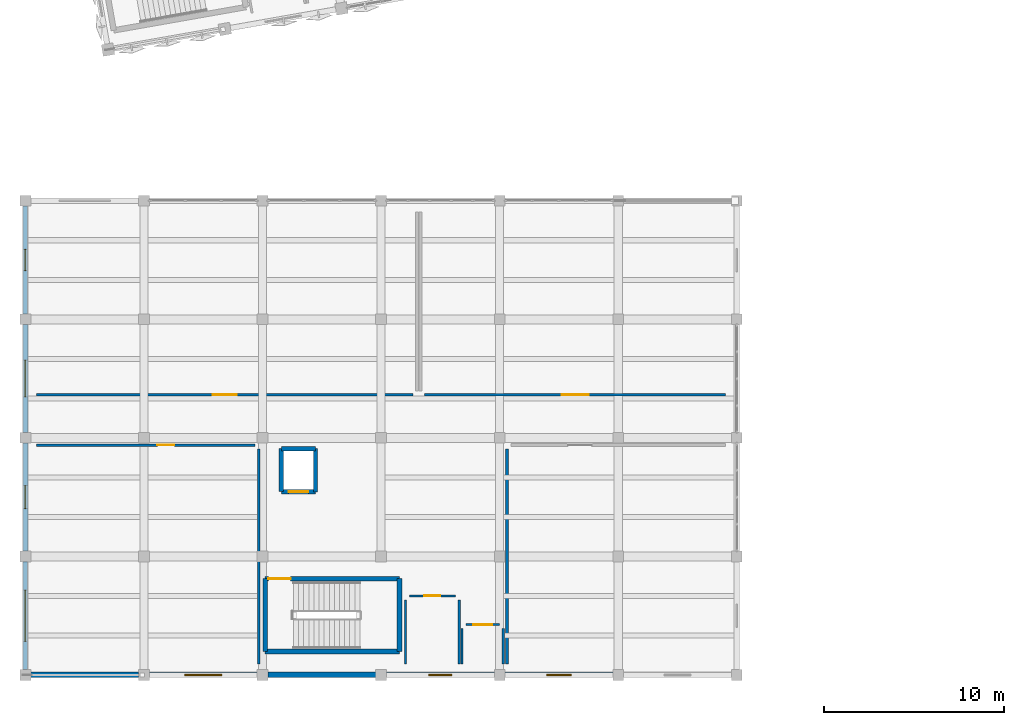
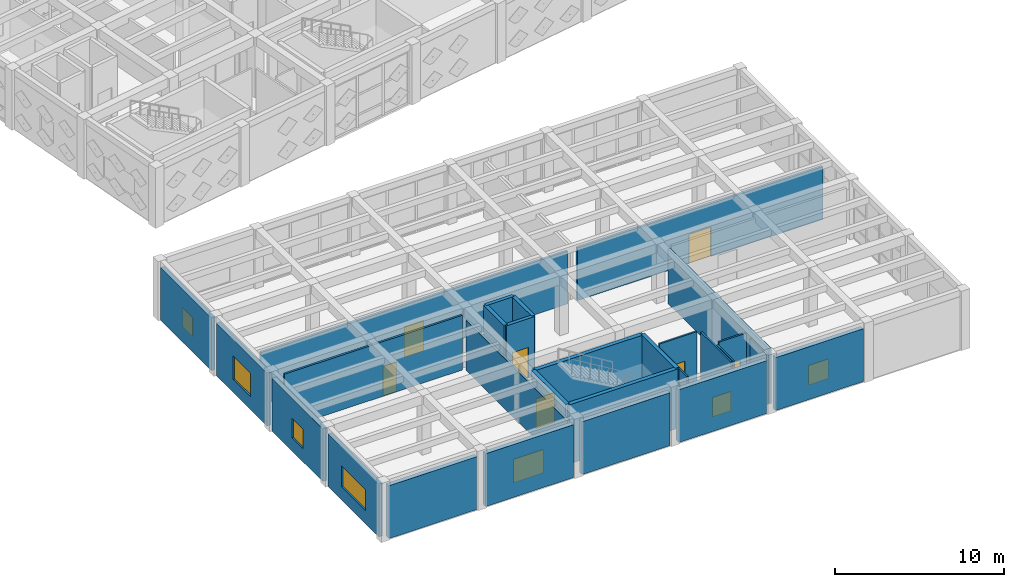
# One storey, part 54 of 67: 28 walls, 7 doors, 7 windows, 14 openings.
"""IFC4 building model written with IfcOpenShell, lengths in metres."""

import ifcopenshell
import ifcopenshell.guid

model = None  # the IFC model being written
_history = None  # IfcOwnerHistory: only IFC2X3 demands one
_inside = {}  # id of a spatial element -> (the spatial element, [elements in it])
_under = {}  # id of a project, library or spatial element -> (it, [spatial elements below it])
_declared = {}  # id of a project -> (the project, [libraries it declares])
_typed = {}  # id of a type object -> (the type object, [elements of that type])
_made_of = {}  # id of a material, layer set ... -> (it, [elements and type objects made of it])


def new_model(schema):
    """Start an empty IFC model of exactly this schema.

    Asked for "IFC4X3", IfcOpenShell would pick the latest addendum, in which some entities
    have other attributes; the version numbers below select the first issue.
    IFC2X3 requires an IfcOwnerHistory on every rooted entity: one is made here for all.
    """
    global model, _history
    if schema == "IFC4X3":
        model = ifcopenshell.file(schema_version=(4, 3, 0, 0))
    else:
        model = ifcopenshell.file(schema=schema)
    _inside.clear()
    _under.clear()
    _declared.clear()
    _typed.clear()
    _made_of.clear()
    _history = None
    if model.schema == "IFC2X3":
        org = make("IfcOrganization", Name="unknown")
        user = make(
            "IfcPersonAndOrganization",
            ThePerson=make("IfcPerson", FamilyName="unknown"),
            TheOrganization=org,
        )
        app = make(
            "IfcApplication",
            ApplicationDeveloper=org,
            Version="unknown",
            ApplicationFullName="unknown",
            ApplicationIdentifier="unknown",
        )
        _history = make(
            "IfcOwnerHistory",
            OwningUser=user,
            OwningApplication=app,
            ChangeAction="ADDED",
            CreationDate=0,
        )
    return model


def make(cls, **values):
    """One entity of the class cls with the attributes given. An attribute that is None is left unset."""
    return model.create_entity(
        cls, **{name: value for name, value in values.items() if value is not None}
    )


def rooted(cls, **values):
    """An entity with a GlobalId (a new one), such as an element, a storey or a relation."""
    return make(cls, GlobalId=ifcopenshell.guid.new(), OwnerHistory=_history, **values)


def si_unit(unit_type, name, prefix=None):
    """IfcSIUnit, for example si_unit("LENGTHUNIT", "METRE", prefix="MILLI")."""
    return make("IfcSIUnit", UnitType=unit_type, Prefix=prefix, Name=name)


def assignment(units):
    """IfcUnitAssignment: the units of a project."""
    return None if units is None else make("IfcUnitAssignment", Units=units)


def point(xyz):
    """IfcCartesianPoint."""
    return None if xyz is None else make("IfcCartesianPoint", Coordinates=xyz)


def direction(xyz):
    """IfcDirection."""
    return None if xyz is None else make("IfcDirection", DirectionRatios=xyz)


def frame(location, z_axis=None, x_axis=None):
    """IfcAxis2Placement3D, a coordinate frame: its origin and axes. An axis left out is left unset."""
    return make(
        "IfcAxis2Placement3D",
        Location=point(location),
        Axis=direction(z_axis),
        RefDirection=direction(x_axis),
    )


def frame_2d(location, x_axis=None):
    """IfcAxis2Placement2D, a coordinate frame in the plane: its origin and x axis."""
    return make(
        "IfcAxis2Placement2D", Location=point(location), RefDirection=direction(x_axis)
    )


def origin():
    """The frame at (0, 0, 0) with its axes left unset."""
    return frame((0.0, 0.0, 0.0))


def place(relative_to, where):
    """IfcLocalPlacement: puts the frame where relative to a parent placement (None: the world)."""
    return make(
        "IfcLocalPlacement", PlacementRelTo=relative_to, RelativePlacement=where
    )


def context(
    kind, dimensions, precision=None, world=None, true_north=None, identifier=None
):
    """IfcGeometricRepresentationContext, for example the 3D "Model" context."""
    return make(
        "IfcGeometricRepresentationContext",
        ContextIdentifier=identifier,
        ContextType=kind,
        CoordinateSpaceDimension=dimensions,
        Precision=precision,
        WorldCoordinateSystem=world,
        TrueNorth=true_north,
    )


def subcontext(parent, identifier, kind, view, scale=None):
    """IfcGeometricRepresentationSubContext, for example "Body" below "Model"."""
    return make(
        "IfcGeometricRepresentationSubContext",
        ContextIdentifier=identifier,
        ContextType=kind,
        ParentContext=parent,
        TargetScale=scale,
        TargetView=view,
    )


def project(units=None, contexts=None):
    """IfcProject with its units and contexts."""
    return rooted(
        "IfcProject",
        Name="project",
        RepresentationContexts=contexts,
        UnitsInContext=assignment(units),
    )


def spatial(cls, under=None, at=None, **own):
    """A site, building, storey or space (cls), placed at a placement, below another one or the project."""
    s = rooted(cls, ObjectPlacement=at, **own)
    if under is not None:
        _under.setdefault(under.id(), (under, []))[1].append(s)
    return s


def profile(cls, at=None, kind="AREA", **sizes):
    """A parametric profile (cls). Its sizes go by their IFC names, for example OverallWidth=200.0."""
    return make(cls, ProfileType=kind, Position=at, **sizes)


def rectangle(**sizes):
    """IfcRectangleProfileDef."""
    return profile("IfcRectangleProfileDef", **sizes)


def extrude(swept, where, along, depth):
    """IfcExtrudedAreaSolid: the profile swept, set in the frame where, extruded along a direction by depth."""
    return make(
        "IfcExtrudedAreaSolid",
        SweptArea=swept,
        Position=where,
        ExtrudedDirection=direction(along),
        Depth=depth,
    )


def shape(context_of_items, identifier, shape_type, items):
    """IfcShapeRepresentation: the items that make up one representation, for example the "Body"."""
    return make(
        "IfcShapeRepresentation",
        ContextOfItems=context_of_items,
        RepresentationIdentifier=identifier,
        RepresentationType=shape_type,
        Items=items,
    )


def material(Name=None, Category=None):
    """IfcMaterial."""
    return make("IfcMaterial", Name=Name, Category=Category)


def layer(
    of_material, thickness, ventilated=None, Name=None, Category=None, Priority=None
):
    """IfcMaterialLayer: one layer of a wall or slab, of a material (None: an air gap)."""
    return make(
        "IfcMaterialLayer",
        Material=of_material,
        LayerThickness=thickness,
        IsVentilated=ventilated,
        Name=Name,
        Category=Category,
        Priority=Priority,
    )


def layer_set(layers, Name=None):
    """IfcMaterialLayerSet."""
    return make("IfcMaterialLayerSet", MaterialLayers=layers, LayerSetName=Name)


def made_of(thing, what):
    """Note that an element or type object is made of a material, layer set ...; save() writes the relation."""
    if what is not None:
        _made_of.setdefault(what.id(), (what, []))[1].append(thing)
    return thing


def type_object(cls, material=None, **own):
    """A type object (cls), such as IfcWallType, which elements share."""
    return made_of(rooted(cls, **own), material)


def element(
    cls,
    number,
    at=None,
    inside=None,
    cuts=None,
    type_object=None,
    material=None,
    context=None,
    identifier="Body",
    shape_type=None,
    held_by="IfcProductDefinitionShape",
    body=None,
    shapes=None,
    **own,
):
    """One element of the class cls, such as IfcWall. Its Tag is "e" and its number.

    at: its placement. inside: the storey or other place that contains it. cuts: it is an
    opening in that element (IfcRelVoidsElement). A single representation is given by context,
    identifier, shape_type and body (its items); several are given by shapes. held_by: the class
    of the entity that holds the representations. save() writes the other relations.
    """
    e = rooted(cls, Tag="e%d" % number, ObjectPlacement=at, **own)
    if body is not None:
        shapes = [shape(context, identifier, shape_type, body)]
    if shapes is not None:
        e.Representation = make(held_by, Representations=shapes)
    if inside is not None:
        _inside.setdefault(inside.id(), (inside, []))[1].append(e)
    if cuts is not None:
        rooted(
            "IfcRelVoidsElement", RelatingBuildingElement=cuts, RelatedOpeningElement=e
        )
    if type_object is not None:
        _typed.setdefault(type_object.id(), (type_object, []))[1].append(e)
    return made_of(e, material)


def fill(opening, filler):
    """IfcRelFillsElement: the door or window that sits in an opening."""
    return rooted(
        "IfcRelFillsElement",
        RelatingOpeningElement=opening,
        RelatedBuildingElement=filler,
    )


def aggregate(whole, parts):
    """IfcRelAggregates: a whole, such as a stair, and the parts it consists of."""
    return rooted("IfcRelAggregates", RelatingObject=whole, RelatedObjects=parts)


def save(model, path):
    """Write the relations noted so far, then the file.

    IfcRelAggregates (storeys below a building ...), IfcRelContainedInSpatialStructure (elements
    in a storey), IfcRelDefinesByType, IfcRelAssociatesMaterial and IfcRelDeclares: one each for
    every whole, place, type object, material and project.
    """
    for whole, parts in _under.values():
        aggregate(whole, parts)
    for where, things in _inside.values():
        rooted(
            "IfcRelContainedInSpatialStructure",
            RelatedElements=things,
            RelatingStructure=where,
        )
    for kind, things in _typed.values():
        rooted("IfcRelDefinesByType", RelatedObjects=things, RelatingType=kind)
    for what, things in _made_of.values():
        rooted("IfcRelAssociatesMaterial", RelatedObjects=things, RelatingMaterial=what)
    for by, libraries in _declared.values():
        rooted("IfcRelDeclares", RelatingContext=by, RelatedDefinitions=libraries)
    model.write(path)


model = new_model("IFC4")

# Units and contexts
model_context = context("Model", 3, precision=1e-05, world=origin(), true_north=direction((0.0, 1.0)))
body_context = subcontext(model_context, "Body", "Model", "MODEL_VIEW")
ifc_project = project(units=[si_unit("LENGTHUNIT", "METRE"), si_unit("AREAUNIT", "SQUARE_METRE"), si_unit("VOLUMEUNIT", "CUBIC_METRE"), si_unit("PLANEANGLEUNIT", "RADIAN"), si_unit("MASSUNIT", "GRAM", prefix="KILO")], contexts=[model_context])

# Site, building, storey
site_placement = place(None, origin())
site = spatial("IfcSite", under=ifc_project, at=site_placement, CompositionType="ELEMENT")
building_placement = place(site_placement, origin())
building = spatial("IfcBuilding", under=site, at=building_placement, Name="Kharisveld Research Institute", CompositionType="ELEMENT")
storey_placement = place(building_placement, frame((0.0, 0.0, 9.60009765625)))
storey = spatial("IfcBuildingStorey", under=building, at=storey_placement, Name="L02", CompositionType="ELEMENT", Elevation=9.60009765625)

# Wall, opening, door
ifc_material_1 = material(Name="Flush Pharmaceutical Panel", Category="mineral")
ifc_layer_1 = layer(ifc_material_1, 0.155029296875)
ifc_layer_set_1 = layer_set([ifc_layer_1], Name="WL_CLN_155")
wall_type_1 = type_object("IfcWallType", Name="WL_CLN_155", PredefinedType="PARTITIONING", material=ifc_layer_set_1)
wall_1_placement = place(storey_placement, frame((1.219970703125, 15.800048828125, 0.0), z_axis=(0.0, 0.0, 1.0), x_axis=(1.0, 0.0, 0.0)))
wall_1 = element("IfcWall", 1, at=wall_1_placement, inside=storey, type_object=wall_type_1, Name="WL:RM:V3:L02:CR7:S", PredefinedType="PARTITIONING", context=body_context, shape_type="SweptSolid", body=[
    extrude(rectangle(XDim=20.9599609375, YDim=0.155029296875, at=frame_2d((10.47998046875, 0.0))), origin(), (0.0, 0.0, 1.0), 3.81494140625),
])
opening_1_placement = place(wall_1_placement, frame((9.81005859375, 0.0, 0.0)))
opening_1 = element("IfcOpeningElement", 2, at=opening_1_placement, cuts=wall_1, Name="Opening DI-284", PredefinedType="OPENING", context=body_context, shape_type="SweptSolid", body=[
    extrude(rectangle(XDim=1.340087890625, YDim=2.199951171875, at=frame_2d((0.669921875, 1.10009765625))), frame((0.0, 0.07763671875, 0.0), z_axis=(0.0, -1.0, 0.0), x_axis=(1.0, 0.0, 0.0)), (0.0, 0.0, 1.0), 0.155029296875),
])
ifc_material_2 = material(Name="Flush Painted Hardwood and Anodised Aluminium", Category="wood")
door_type_1 = type_object("IfcDoorType", Name="DR_CLN_134", OperationType="SLIDING_TO_RIGHT", PredefinedType="DOOR", material=ifc_material_2)
door_1_placement = place(opening_1_placement, origin())
door_1 = element("IfcDoor", 3, at=door_1_placement, inside=storey, type_object=door_type_1, Name="DR:RM:V3:L02:CR7:S", OperationType="SLIDING_TO_RIGHT", OverallHeight=2.199951171875, OverallWidth=1.340087890625, PredefinedType="DOOR", context=body_context, shape_type="SweptSolid", body=[
    extrude(rectangle(XDim=1.340087890625, YDim=2.199951171875, at=frame_2d((0.669921875, 1.10009765625))), frame((0.0, 0.02490234375, 0.0), z_axis=(0.0, -1.0, 0.0), x_axis=(1.0, 0.0, 0.0)), (0.0, 0.0, 1.0), 0.050048828125),
])
fill(opening_1, door_1)

# Walls
ifc_material_3 = material(Name="Concrete C40/50", Category="concrete")
ifc_layer_2 = layer(ifc_material_3, 0.239990234375)
ifc_layer_set_2 = layer_set([ifc_layer_2], Name="WL_CORE_240")
wall_type_2 = type_object("IfcWallType", Name="WL_CORE_240", PredefinedType="SHEAR", material=ifc_layer_set_2)
wall_2_placement = place(storey_placement, frame((14.85009765625, 10.39990234375, 0.0), z_axis=(0.0, 0.0, 1.0), x_axis=(0.0, 1.0, 0.0)))
element("IfcWall", 4, at=wall_2_placement, inside=storey, type_object=wall_type_2, Name="WL:LFT:PL-03:L02:W", PredefinedType="SHEAR", context=body_context, shape_type="SweptSolid", body=[
    extrude(rectangle(XDim=2.400146484375, YDim=0.239990234375, at=frame_2d((1.2001953125, 0.0))), origin(), (0.0, 0.0, 1.0), 4.27978515625),
])
wall_3_placement = place(storey_placement, frame((14.85009765625, 12.800048828125, 0.0), z_axis=(0.0, 0.0, 1.0), x_axis=(1.0, 0.0, 0.0)))
element("IfcWall", 5, at=wall_3_placement, inside=storey, type_object=wall_type_2, Name="WL:LFT:PL-03:L02:N", PredefinedType="SHEAR", context=body_context, shape_type="SweptSolid", body=[
    extrude(rectangle(XDim=1.89990234375, YDim=0.239990234375, at=frame_2d((0.949951171875, 0.0))), origin(), (0.0, 0.0, 1.0), 4.27978515625),
])
wall_4_placement = place(storey_placement, frame((16.75, 12.800048828125, 0.0), z_axis=(0.0, 0.0, 1.0), x_axis=(0.0, -1.0, 0.0)))
element("IfcWall", 6, at=wall_4_placement, inside=storey, type_object=wall_type_2, Name="WL:LFT:PL-03:L02:E", PredefinedType="SHEAR", context=body_context, shape_type="SweptSolid", body=[
    extrude(rectangle(XDim=2.400146484375, YDim=0.239990234375, at=frame_2d((1.2001953125, 0.0))), origin(), (0.0, 0.0, 1.0), 4.27978515625),
])

# Wall, opening, door
wall_5_placement = place(storey_placement, frame((16.75, 10.39990234375, 0.0), z_axis=(0.0, 0.0, 1.0), x_axis=(-1.0, 0.0, 0.0)))
wall_5 = element("IfcWall", 7, at=wall_5_placement, inside=storey, type_object=wall_type_2, Name="WL:LFT:PL-03:L02:S", PredefinedType="SHEAR", context=body_context, shape_type="SweptSolid", body=[
    extrude(rectangle(XDim=1.89990234375, YDim=0.239990234375, at=frame_2d((0.949951171875, 0.0))), origin(), (0.0, 0.0, 1.0), 4.27978515625),
])
opening_2_placement = place(wall_5_placement, frame((0.39990234375, 0.0, 0.0)))
opening_2 = element("IfcOpeningElement", 8, at=opening_2_placement, cuts=wall_5, Name="Opening LD-01", PredefinedType="OPENING", context=body_context, shape_type="SweptSolid", body=[
    extrude(rectangle(XDim=1.10009765625, YDim=2.199951171875, at=frame_2d((0.550048828125, 1.10009765625))), frame((0.0, 0.1201171875, 0.0), z_axis=(0.0, -1.0, 0.0), x_axis=(1.0, 0.0, 0.0)), (0.0, 0.0, 1.0), 0.239990234375),
])
ifc_material_4 = material(Name="Flush Painted Hardwood and Anodised Aluminium", Category="wood")
door_type_2 = type_object("IfcDoorType", Name="DR_LFT_110", OperationType="SLIDING_TO_LEFT", PredefinedType="DOOR", material=ifc_material_4)
door_2_placement = place(opening_2_placement, origin())
door_2 = element("IfcDoor", 9, at=door_2_placement, inside=storey, type_object=door_type_2, Name="PL-03 Lift Landing Door L02", OperationType="SLIDING_TO_LEFT", OverallHeight=2.199951171875, OverallWidth=1.10009765625, PredefinedType="DOOR", context=body_context, shape_type="SweptSolid", body=[
    extrude(rectangle(XDim=1.10009765625, YDim=2.199951171875, at=frame_2d((0.550048828125, 1.10009765625))), frame((0.0, 0.02490234375, 0.0), z_axis=(0.0, -1.0, 0.0), x_axis=(1.0, 0.0, 0.0)), (0.0, 0.0, 1.0), 0.050048828125),
])
fill(opening_2, door_2)

# Wall
ifc_material_5 = material(Name="Concrete C40/50", Category="concrete")
ifc_layer_3 = layer(ifc_material_5, 0.27001953125)
ifc_layer_set_3 = layer_set([ifc_layer_3], Name="WL_CORE_270")
wall_type_3 = type_object("IfcWallType", Name="WL_CORE_270", PredefinedType="SHEAR", material=ifc_layer_set_3)
wall_6_placement = place(storey_placement, frame((13.949951171875, 1.5, 0.0), z_axis=(0.0, 0.0, 1.0), x_axis=(0.0, 1.0, 0.0)))
element("IfcWall", 10, at=wall_6_placement, inside=storey, type_object=wall_type_3, Name="WL:STR:ST4:L02:W", PredefinedType="SHEAR", context=body_context, shape_type="SweptSolid", body=[
    extrude(rectangle(XDim=4.06005859375, YDim=0.27001953125, at=frame_2d((2.030029296875, 0.0))), origin(), (0.0, 0.0, 1.0), 4.27978515625),
])

# Wall, opening, door
wall_7_placement = place(storey_placement, frame((13.949951171875, 5.56005859375, 0.0), z_axis=(0.0, 0.0, 1.0), x_axis=(1.0, 0.0, 0.0)))
wall_7 = element("IfcWall", 11, at=wall_7_placement, inside=storey, type_object=wall_type_3, Name="WL:STR:ST4:L02:N", PredefinedType="SHEAR", context=body_context, shape_type="SweptSolid", body=[
    extrude(rectangle(XDim=7.469970703125, YDim=0.27001953125, at=frame_2d((3.73486328125, 0.0))), origin(), (0.0, 0.0, 1.0), 4.27978515625),
])
opening_3_placement = place(wall_7_placement, frame((0.179931640625, 0.0, 0.0)))
opening_3 = element("IfcOpeningElement", 12, at=opening_3_placement, cuts=wall_7, Name="Opening DS-039", PredefinedType="OPENING", context=body_context, shape_type="SweptSolid", body=[
    extrude(rectangle(XDim=1.239990234375, YDim=2.14990234375, at=frame_2d((0.6201171875, 1.074951171875))), frame((0.0, 0.135009765625, 0.0), z_axis=(0.0, -1.0, 0.0), x_axis=(1.0, 0.0, 0.0)), (0.0, 0.0, 1.0), 0.27001953125),
])
ifc_material_6 = material(Name="Flush Painted Hardwood and Anodised Aluminium", Category="wood")
door_type_3 = type_object("IfcDoorType", Name="DR_FD60_124", OperationType="NOTDEFINED", PredefinedType="DOOR", material=ifc_material_6)
door_3_placement = place(opening_3_placement, origin())
door_3 = element("IfcDoor", 13, at=door_3_placement, inside=storey, type_object=door_type_3, Name="DR:STR:ST4:L02", OperationType="SINGLE_SWING_RIGHT", OverallHeight=2.14990234375, OverallWidth=1.239990234375, PredefinedType="DOOR", context=body_context, shape_type="SweptSolid", body=[
    extrude(rectangle(XDim=1.239990234375, YDim=2.14990234375, at=frame_2d((0.6201171875, 1.074951171875))), frame((0.0, 0.02490234375, 0.0), z_axis=(0.0, -1.0, 0.0), x_axis=(1.0, 0.0, 0.0)), (0.0, 0.0, 1.0), 0.050048828125),
])
fill(opening_3, door_3)

# Walls
wall_8_placement = place(storey_placement, frame((21.419921875, 5.56005859375, 0.0), z_axis=(0.0, 0.0, 1.0), x_axis=(0.0, -1.0, 0.0)))
element("IfcWall", 14, at=wall_8_placement, inside=storey, type_object=wall_type_3, Name="WL:STR:ST4:L02:E", PredefinedType="SHEAR", context=body_context, shape_type="SweptSolid", body=[
    extrude(rectangle(XDim=4.06005859375, YDim=0.27001953125, at=frame_2d((2.030029296875, 0.0))), origin(), (0.0, 0.0, 1.0), 4.27978515625),
])
wall_9_placement = place(storey_placement, frame((21.419921875, 1.5, 0.0), z_axis=(0.0, 0.0, 1.0), x_axis=(-1.0, 0.0, 0.0)))
element("IfcWall", 15, at=wall_9_placement, inside=storey, type_object=wall_type_3, Name="WL:STR:ST4:L02:S", PredefinedType="SHEAR", context=body_context, shape_type="SweptSolid", body=[
    extrude(rectangle(XDim=7.469970703125, YDim=0.27001953125, at=frame_2d((3.73486328125, 0.0))), origin(), (0.0, 0.0, 1.0), 4.27978515625),
])

# Wall, opening, window
ifc_material_7 = material(Name="Lightweight Acoustic Spandrel", Category="mineral")
ifc_layer_4 = layer(ifc_material_7, 0.2451171875)
ifc_layer_set_4 = layer_set([ifc_layer_4], Name="WL_EXT_245")
wall_type_4 = type_object("IfcWallType", Name="WL_EXT_245", PredefinedType="STANDARD", material=ifc_layer_set_4)
wall_10_placement = place(storey_placement, frame((0.60009765625, 0.4951171875, 0.0), z_axis=(0.0, 0.0, 1.0), x_axis=(0.0, 1.0, 0.0)))
wall_10 = element("IfcWall", 16, at=wall_10_placement, inside=storey, type_object=wall_type_4, Name="WL:V3:L02:W0", PredefinedType="STANDARD", context=body_context, shape_type="SweptSolid", body=[
    extrude(rectangle(XDim=6.009765625, YDim=0.2451171875, at=frame_2d((3.0048828125, 0.0))), origin(), (0.0, 0.0, 1.0), 3.81494140625),
])
opening_4_placement = place(wall_10_placement, frame((1.580078125, 0.0, 0.949951171875)))
opening_4 = element("IfcOpeningElement", 17, at=opening_4_placement, cuts=wall_10, Name="Opening WN-18", PredefinedType="OPENING", context=body_context, shape_type="SweptSolid", body=[
    extrude(rectangle(XDim=2.85009765625, YDim=1.5, at=frame_2d((1.425048828125, 0.75))), frame((0.0, 0.12255859375, 0.0), z_axis=(0.0, -1.0, 0.0), x_axis=(1.0, 0.0, 0.0)), (0.0, 0.0, 1.0), 0.2451171875),
])
ifc_material_8 = material(Name="Low-E Double Glazing", Category="glass")
window_type_1 = type_object("IfcWindowType", Name="WN_18", PartitioningType="TRIPLE_PANEL_VERTICAL", PredefinedType="WINDOW", material=ifc_material_8)
window_1_placement = place(opening_4_placement, origin())
window_1 = element("IfcWindow", 18, at=window_1_placement, inside=storey, type_object=window_type_1, Name="WN:V3:L02:W0", OverallHeight=1.5, OverallWidth=2.85009765625, PartitioningType="SINGLE_PANEL", PredefinedType="WINDOW", context=body_context, shape_type="SweptSolid", body=[
    extrude(rectangle(XDim=2.85009765625, YDim=1.5, at=frame_2d((1.425048828125, 0.75))), frame((0.0, 0.030029296875, 0.0), z_axis=(0.0, -1.0, 0.0), x_axis=(1.0, 0.0, 0.0)), (0.0, 0.0, 1.0), 0.06005859375),
])
fill(opening_4, window_1)

ifc_material_9 = material(Name="Precast Concrete C40/50 Thermal Wall", Category="concrete")
ifc_layer_5 = layer(ifc_material_9, 0.260009765625)
ifc_layer_set_5 = layer_set([ifc_layer_5], Name="WL_EXT_260")
wall_type_5 = type_object("IfcWallType", Name="WL_EXT_260", PredefinedType="STANDARD", material=ifc_layer_set_5)
wall_11_placement = place(storey_placement, frame((0.60009765625, 20.294921875, 0.0), z_axis=(0.0, 0.0, 1.0), x_axis=(0.0, 1.0, 0.0)))
wall_11 = element("IfcWall", 19, at=wall_11_placement, inside=storey, type_object=wall_type_5, Name="WL:V3:L02:W3", PredefinedType="STANDARD", context=body_context, shape_type="SweptSolid", body=[
    extrude(rectangle(XDim=6.010009765625, YDim=0.260009765625, at=frame_2d((3.0048828125, 0.0))), origin(), (0.0, 0.0, 1.0), 3.81494140625),
])
opening_5_placement = place(wall_11_placement, frame((2.409912109375, 0.0, 0.949951171875)))
opening_5 = element("IfcOpeningElement", 20, at=opening_5_placement, cuts=wall_11, Name="Opening WN-21", PredefinedType="OPENING", context=body_context, shape_type="SweptSolid", body=[
    extrude(rectangle(XDim=1.18994140625, YDim=1.3798828125, at=frame_2d((0.594970703125, 0.68994140625))), frame((0.0, 0.1298828125, 0.0), z_axis=(0.0, -1.0, 0.0), x_axis=(1.0, 0.0, 0.0)), (0.0, 0.0, 1.0), 0.260009765625),
])
ifc_material_10 = material(Name="Low-E Double Glazing", Category="glass")
window_type_2 = type_object("IfcWindowType", Name="WN_21", PartitioningType="DOUBLE_PANEL_VERTICAL", PredefinedType="WINDOW", material=ifc_material_10)
window_2_placement = place(opening_5_placement, origin())
window_2 = element("IfcWindow", 21, at=window_2_placement, inside=storey, type_object=window_type_2, Name="WN:V3:L02:W3", OverallHeight=1.3798828125, OverallWidth=1.18994140625, PartitioningType="SINGLE_PANEL", PredefinedType="WINDOW", context=body_context, shape_type="SweptSolid", body=[
    extrude(rectangle(XDim=1.18994140625, YDim=1.3798828125, at=frame_2d((0.594970703125, 0.68994140625))), frame((0.0, 0.030029296875, 0.0), z_axis=(0.0, -1.0, 0.0), x_axis=(1.0, 0.0, 0.0)), (0.0, 0.0, 1.0), 0.06005859375),
])
fill(opening_5, window_2)

ifc_material_11 = material(Name="Precast Concrete C40/50 Thermal Wall", Category="concrete")
ifc_layer_6 = layer(ifc_material_11, 0.27490234375)
ifc_layer_set_6 = layer_set([ifc_layer_6], Name="WL_EXT_275")
wall_type_6 = type_object("IfcWallType", Name="WL_EXT_275", PredefinedType="STANDARD", material=ifc_layer_set_6)
wall_12_placement = place(storey_placement, frame((0.60009765625, 13.695068359375, 0.0), z_axis=(0.0, 0.0, 1.0), x_axis=(0.0, 1.0, 0.0)))
wall_12 = element("IfcWall", 22, at=wall_12_placement, inside=storey, type_object=wall_type_6, Name="WL:V3:L02:W2", PredefinedType="STANDARD", context=body_context, shape_type="SweptSolid", body=[
    extrude(rectangle(XDim=6.010009765625, YDim=0.27490234375, at=frame_2d((3.0048828125, 0.0))), origin(), (0.0, 0.0, 1.0), 3.81494140625),
])
opening_6_placement = place(wall_12_placement, frame((1.97998046875, 0.0, 0.949951171875)))
opening_6 = element("IfcOpeningElement", 23, at=opening_6_placement, cuts=wall_12, Name="Opening WN-20", PredefinedType="OPENING", context=body_context, shape_type="SweptSolid", body=[
    extrude(rectangle(XDim=2.050048828125, YDim=1.699951171875, at=frame_2d((1.02490234375, 0.85009765625))), frame((0.0, 0.137451171875, 0.0), z_axis=(0.0, -1.0, 0.0), x_axis=(1.0, 0.0, 0.0)), (0.0, 0.0, 1.0), 0.27490234375),
])
ifc_material_12 = material(Name="Low-E Double Glazing", Category="glass")
window_type_3 = type_object("IfcWindowType", Name="WN_20", PartitioningType="DOUBLE_PANEL_VERTICAL", PredefinedType="WINDOW", material=ifc_material_12)
window_3_placement = place(opening_6_placement, origin())
window_3 = element("IfcWindow", 24, at=window_3_placement, inside=storey, type_object=window_type_3, Name="WN:V3:L02:W2", OverallHeight=1.699951171875, OverallWidth=2.050048828125, PartitioningType="SINGLE_PANEL", PredefinedType="WINDOW", context=body_context, shape_type="SweptSolid", body=[
    extrude(rectangle(XDim=2.050048828125, YDim=1.699951171875, at=frame_2d((1.02490234375, 0.85009765625))), frame((0.0, 0.030029296875, 0.0), z_axis=(0.0, -1.0, 0.0), x_axis=(1.0, 0.0, 0.0)), (0.0, 0.0, 1.0), 0.06005859375),
])
fill(opening_6, window_3)

ifc_material_13 = material(Name="Precast Concrete C40/50 Thermal Wall", Category="concrete")
ifc_layer_7 = layer(ifc_material_13, 0.2900390625)
ifc_layer_set_7 = layer_set([ifc_layer_7], Name="WL_EXT_290")
wall_type_7 = type_object("IfcWallType", Name="WL_EXT_290", PredefinedType="STANDARD", material=ifc_layer_set_7)
wall_13_placement = place(storey_placement, frame((0.60009765625, 7.094970703125, 0.0), z_axis=(0.0, 0.0, 1.0), x_axis=(0.0, 1.0, 0.0)))
wall_13 = element("IfcWall", 25, at=wall_13_placement, inside=storey, type_object=wall_type_7, Name="WL:V3:L02:W1", PredefinedType="STANDARD", context=body_context, shape_type="SweptSolid", body=[
    extrude(rectangle(XDim=6.010009765625, YDim=0.2900390625, at=frame_2d((3.0048828125, 0.0))), origin(), (0.0, 0.0, 1.0), 3.81494140625),
])
opening_7_placement = place(wall_13_placement, frame((2.364990234375, 0.0, 0.949951171875)))
opening_7 = element("IfcOpeningElement", 26, at=opening_7_placement, cuts=wall_13, Name="Opening WN-19", PredefinedType="OPENING", context=body_context, shape_type="SweptSolid", body=[
    extrude(rectangle(XDim=1.280029296875, YDim=1.419921875, at=frame_2d((0.64013671875, 0.7099609375))), frame((0.0, 0.14501953125, 0.0), z_axis=(0.0, -1.0, 0.0), x_axis=(1.0, 0.0, 0.0)), (0.0, 0.0, 1.0), 0.2900390625),
])
ifc_material_14 = material(Name="Low-E Double Glazing", Category="glass")
window_type_4 = type_object("IfcWindowType", Name="WN_19", PartitioningType="SINGLE_PANEL", PredefinedType="WINDOW", material=ifc_material_14)
window_4_placement = place(opening_7_placement, origin())
window_4 = element("IfcWindow", 27, at=window_4_placement, inside=storey, type_object=window_type_4, Name="WN:V3:L02:W1", OverallHeight=1.419921875, OverallWidth=1.280029296875, PartitioningType="SINGLE_PANEL", PredefinedType="WINDOW", context=body_context, shape_type="SweptSolid", body=[
    extrude(rectangle(XDim=1.280029296875, YDim=1.419921875, at=frame_2d((0.64013671875, 0.7099609375))), frame((0.0, 0.030029296875, 0.0), z_axis=(0.0, -1.0, 0.0), x_axis=(1.0, 0.0, 0.0)), (0.0, 0.0, 1.0), 0.06005859375),
])
fill(opening_7, window_4)

ifc_material_15 = material(Name="Precast Concrete C40/50 Ochre Panel", Category="concrete")
ifc_layer_8 = layer(ifc_material_15, 0.304931640625)
ifc_layer_set_8 = layer_set([ifc_layer_8], Name="WL_EXT_305")
wall_type_8 = type_object("IfcWallType", Name="WL_EXT_305", PredefinedType="STANDARD", material=ifc_layer_set_8)
wall_14_placement = place(storey_placement, frame((33.304931640625, 0.199951171875, 0.0), z_axis=(0.0, 0.0, 1.0), x_axis=(-1.0, 0.0, 0.0)))
wall_14 = element("IfcWall", 28, at=wall_14_placement, inside=storey, type_object=wall_type_8, Name="WL:V3:L02:S5", PredefinedType="STANDARD", context=body_context, shape_type="SweptSolid", body=[
    extrude(rectangle(XDim=6.010009765625, YDim=0.304931640625, at=frame_2d((3.0048828125, 0.0))), origin(), (0.0, 0.0, 1.0), 3.81494140625),
])
opening_8_placement = place(wall_14_placement, frame((2.320068359375, 0.0, 0.949951171875)))
opening_8 = element("IfcOpeningElement", 29, at=opening_8_placement, cuts=wall_14, Name="Opening WN-23", PredefinedType="OPENING", context=body_context, shape_type="SweptSolid", body=[
    extrude(rectangle(XDim=1.3701171875, YDim=1.419921875, at=frame_2d((0.68505859375, 0.7099609375))), frame((0.0, 0.15234375, 0.0), z_axis=(0.0, -1.0, 0.0), x_axis=(1.0, 0.0, 0.0)), (0.0, 0.0, 1.0), 0.304931640625),
])
ifc_material_16 = material(Name="Low-E Double Glazing", Category="glass")
window_type_5 = type_object("IfcWindowType", Name="WN_23", PartitioningType="DOUBLE_PANEL_VERTICAL", PredefinedType="WINDOW", material=ifc_material_16)
window_5_placement = place(opening_8_placement, origin())
window_5 = element("IfcWindow", 30, at=window_5_placement, inside=storey, type_object=window_type_5, Name="WN:V3:L02:S5", OverallHeight=1.419921875, OverallWidth=1.3701171875, PartitioningType="SINGLE_PANEL", PredefinedType="WINDOW", context=body_context, shape_type="SweptSolid", body=[
    extrude(rectangle(XDim=1.3701171875, YDim=1.419921875, at=frame_2d((0.68505859375, 0.7099609375))), frame((0.0, 0.030029296875, 0.0), z_axis=(0.0, -1.0, 0.0), x_axis=(1.0, 0.0, 0.0)), (0.0, 0.0, 1.0), 0.06005859375),
])
fill(opening_8, window_5)

wall_15_placement = place(storey_placement, frame((26.705078125, 0.199951171875, 0.0), z_axis=(0.0, 0.0, 1.0), x_axis=(-1.0, 0.0, 0.0)))
wall_15 = element("IfcWall", 31, at=wall_15_placement, inside=storey, type_object=wall_type_8, Name="WL:V3:L02:S4", PredefinedType="STANDARD", context=body_context, shape_type="SweptSolid", body=[
    extrude(rectangle(XDim=6.010009765625, YDim=0.304931640625, at=frame_2d((3.0048828125, 0.0))), origin(), (0.0, 0.0, 1.0), 3.81494140625),
])
opening_9_placement = place(wall_15_placement, frame((2.364990234375, 0.0, 0.949951171875)))
opening_9 = element("IfcOpeningElement", 32, at=opening_9_placement, cuts=wall_15, Name="Opening WN-22", PredefinedType="OPENING", context=body_context, shape_type="SweptSolid", body=[
    extrude(rectangle(XDim=1.280029296875, YDim=1.39990234375, at=frame_2d((0.64013671875, 0.699951171875))), frame((0.0, 0.15234375, 0.0), z_axis=(0.0, -1.0, 0.0), x_axis=(1.0, 0.0, 0.0)), (0.0, 0.0, 1.0), 0.304931640625),
])
ifc_material_17 = material(Name="Low-E Double Glazing", Category="glass")
window_type_6 = type_object("IfcWindowType", Name="WN_22", PartitioningType="DOUBLE_PANEL_VERTICAL", PredefinedType="WINDOW", material=ifc_material_17)
window_6_placement = place(opening_9_placement, origin())
window_6 = element("IfcWindow", 33, at=window_6_placement, inside=storey, type_object=window_type_6, Name="WN:V3:L02:S4", OverallHeight=1.39990234375, OverallWidth=1.280029296875, PartitioningType="SINGLE_PANEL", PredefinedType="WINDOW", context=body_context, shape_type="SweptSolid", body=[
    extrude(rectangle(XDim=1.280029296875, YDim=1.39990234375, at=frame_2d((0.64013671875, 0.699951171875))), frame((0.0, 0.030029296875, 0.0), z_axis=(0.0, -1.0, 0.0), x_axis=(1.0, 0.0, 0.0)), (0.0, 0.0, 1.0), 0.06005859375),
])
fill(opening_9, window_6)

# Wall
wall_16_placement = place(storey_placement, frame((20.10498046875, 0.199951171875, 0.0), z_axis=(0.0, 0.0, 1.0), x_axis=(-1.0, 0.0, 0.0)))
element("IfcWall", 34, at=wall_16_placement, inside=storey, type_object=wall_type_8, Name="WL:V3:L02:S3", PredefinedType="STANDARD", context=body_context, shape_type="SweptSolid", body=[
    extrude(rectangle(XDim=6.010009765625, YDim=0.304931640625, at=frame_2d((3.0048828125, 0.0))), origin(), (0.0, 0.0, 1.0), 3.81494140625),
])

# Wall, opening, window
wall_17_placement = place(storey_placement, frame((13.5048828125, 0.199951171875, 0.0), z_axis=(0.0, 0.0, 1.0), x_axis=(-1.0, 0.0, 0.0)))
wall_17 = element("IfcWall", 35, at=wall_17_placement, inside=storey, type_object=wall_type_8, Name="WL:V3:L02:S2", PredefinedType="STANDARD", context=body_context, shape_type="SweptSolid", body=[
    extrude(rectangle(XDim=6.009765625, YDim=0.304931640625, at=frame_2d((3.0048828125, 0.0))), origin(), (0.0, 0.0, 1.0), 3.81494140625),
])
opening_10_placement = place(wall_17_placement, frame((1.97998046875, 0.0, 0.949951171875)))
opening_10 = element("IfcOpeningElement", 36, at=opening_10_placement, cuts=wall_17, Name="Opening WN-20", PredefinedType="OPENING", context=body_context, shape_type="SweptSolid", body=[
    extrude(rectangle(XDim=2.050048828125, YDim=1.699951171875, at=frame_2d((1.02490234375, 0.85009765625))), frame((0.0, 0.15234375, 0.0), z_axis=(0.0, -1.0, 0.0), x_axis=(1.0, 0.0, 0.0)), (0.0, 0.0, 1.0), 0.304931640625),
])
window_7_placement = place(opening_10_placement, origin())
window_7 = element("IfcWindow", 37, at=window_7_placement, inside=storey, type_object=window_type_3, Name="WN:V3:L02:S2", OverallHeight=1.699951171875, OverallWidth=2.050048828125, PartitioningType="SINGLE_PANEL", PredefinedType="WINDOW", context=body_context, shape_type="SweptSolid", body=[
    extrude(rectangle(XDim=2.050048828125, YDim=1.699951171875, at=frame_2d((1.02490234375, 0.85009765625))), frame((0.0, 0.030029296875, 0.0), z_axis=(0.0, -1.0, 0.0), x_axis=(1.0, 0.0, 0.0)), (0.0, 0.0, 1.0), 0.06005859375),
])
fill(opening_10, window_7)

# Wall
wall_18_placement = place(storey_placement, frame((6.905029296875, 0.199951171875, 0.0), z_axis=(0.0, 0.0, 1.0), x_axis=(-1.0, 0.0, 0.0)))
element("IfcWall", 38, at=wall_18_placement, inside=storey, type_object=wall_type_8, Name="WL:V3:L02:S1", PredefinedType="STANDARD", context=body_context, shape_type="SweptSolid", body=[
    extrude(rectangle(XDim=6.010009765625, YDim=0.304931640625, at=frame_2d((3.0048828125, 0.0))), origin(), (0.0, 0.0, 1.0), 3.81494140625),
])

# Wall, opening, door
ifc_material_18 = material(Name="Acoustic Drywall Partition", Category="mineral")
ifc_layer_9 = layer(ifc_material_18, 0.1650390625)
ifc_layer_set_9 = layer_set([ifc_layer_9], Name="WL_LAB_165")
wall_type_9 = type_object("IfcWallType", Name="WL_LAB_165", PredefinedType="PARTITIONING", material=ifc_layer_set_9)
wall_19_placement = place(storey_placement, frame((22.820068359375, 15.800048828125, 0.0), z_axis=(0.0, 0.0, 1.0), x_axis=(1.0, 0.0, 0.0)))
wall_19 = element("IfcWall", 39, at=wall_19_placement, inside=storey, type_object=wall_type_9, Name="WL:RM:V3:L02:MTR:S", PredefinedType="PARTITIONING", context=body_context, shape_type="SweptSolid", body=[
    extrude(rectangle(XDim=16.760009765625, YDim=0.1650390625, at=frame_2d((8.3798828125, 0.0))), origin(), (0.0, 0.0, 1.0), 3.81494140625),
])
opening_11_placement = place(wall_19_placement, frame((7.625, 0.0, 0.0)))
opening_11 = element("IfcOpeningElement", 40, at=opening_11_placement, cuts=wall_19, Name="Opening DI-285", PredefinedType="OPENING", context=body_context, shape_type="SweptSolid", body=[
    extrude(rectangle(XDim=1.510009765625, YDim=2.1201171875, at=frame_2d((0.7548828125, 1.06005859375))), frame((0.0, 0.08251953125, 0.0), z_axis=(0.0, -1.0, 0.0), x_axis=(1.0, 0.0, 0.0)), (0.0, 0.0, 1.0), 0.1650390625),
])
ifc_material_19 = material(Name="Flush Painted Hardwood and Anodised Aluminium", Category="wood")
door_type_4 = type_object("IfcDoorType", Name="DR_VAR_21", OperationType="NOTDEFINED", PredefinedType="DOOR", material=ifc_material_19)
door_4_placement = place(opening_11_placement, origin())
door_4 = element("IfcDoor", 41, at=door_4_placement, inside=storey, type_object=door_type_4, Name="DR:RM:V3:L02:MTR:S", OperationType="SINGLE_SWING_RIGHT", OverallHeight=2.1201171875, OverallWidth=1.510009765625, PredefinedType="DOOR", context=body_context, shape_type="SweptSolid", body=[
    extrude(rectangle(XDim=1.510009765625, YDim=2.1201171875, at=frame_2d((0.7548828125, 1.06005859375))), frame((0.0, 0.02490234375, 0.0), z_axis=(0.0, -1.0, 0.0), x_axis=(1.0, 0.0, 0.0)), (0.0, 0.0, 1.0), 0.050048828125),
])
fill(opening_11, door_4)

# Walls
wall_20_placement = place(storey_placement, frame((27.39990234375, 12.780029296875, 0.0), z_axis=(0.0, 0.0, 1.0), x_axis=(0.0, -1.0, 0.0)))
element("IfcWall", 42, at=wall_20_placement, inside=storey, type_object=wall_type_9, Name="WL:RM:V3:L02:SEM:W", PredefinedType="PARTITIONING", context=body_context, shape_type="SweptSolid", body=[
    extrude(rectangle(XDim=11.9599609375, YDim=0.1650390625, at=frame_2d((5.97998046875, 0.0))), origin(), (0.0, 0.0, 1.0), 3.949951171875),
])
ifc_material_20 = material(Name="Insulated Stud Partition", Category="mineral")
ifc_layer_10 = layer(ifc_material_20, 0.139892578125)
ifc_layer_set_10 = layer_set([ifc_layer_10], Name="WL_OFF_140")
wall_type_10 = type_object("IfcWallType", Name="WL_OFF_140", PredefinedType="PARTITIONING", material=ifc_layer_set_10)
wall_21_placement = place(storey_placement, frame((13.60009765625, 0.820068359375, 0.0), z_axis=(0.0, 0.0, 1.0), x_axis=(0.0, 1.0, 0.0)))
element("IfcWall", 43, at=wall_21_placement, inside=storey, type_object=wall_type_10, Name="WL:RM:V3:L02:WUC:E", PredefinedType="PARTITIONING", context=body_context, shape_type="SweptSolid", body=[
    extrude(rectangle(XDim=11.9599609375, YDim=0.139892578125, at=frame_2d((5.97998046875, 0.0))), origin(), (0.0, 0.0, 1.0), 3.614990234375),
])

# Wall, opening, door
wall_22_placement = place(storey_placement, frame((13.3798828125, 13.0, 0.0), z_axis=(0.0, 0.0, 1.0), x_axis=(-1.0, 0.0, 0.0)))
wall_22 = element("IfcWall", 44, at=wall_22_placement, inside=storey, type_object=wall_type_10, Name="WL:RM:V3:L02:WUC:N", PredefinedType="PARTITIONING", context=body_context, shape_type="SweptSolid", body=[
    extrude(rectangle(XDim=12.159912109375, YDim=0.139892578125, at=frame_2d((6.080078125, 0.0))), origin(), (0.0, 0.0, 1.0), 3.949951171875),
])
opening_12_placement = place(wall_22_placement, frame((4.488037109375, 0.0, 0.0)))
opening_12 = element("IfcOpeningElement", 45, at=opening_12_placement, cuts=wall_22, Name="Opening DI-286", PredefinedType="OPENING", context=body_context, shape_type="SweptSolid", body=[
    extrude(rectangle(XDim=0.93994140625, YDim=2.1201171875, at=frame_2d((0.469970703125, 1.06005859375))), frame((0.0, 0.06982421875, 0.0), z_axis=(0.0, -1.0, 0.0), x_axis=(1.0, 0.0, 0.0)), (0.0, 0.0, 1.0), 0.139892578125),
])
ifc_material_21 = material(Name="Flush Painted Hardwood and Anodised Aluminium", Category="wood")
door_type_5 = type_object("IfcDoorType", Name="DR_OFF_094", OperationType="NOTDEFINED", PredefinedType="DOOR", material=ifc_material_21)
door_5_placement = place(opening_12_placement, origin())
door_5 = element("IfcDoor", 46, at=door_5_placement, inside=storey, type_object=door_type_5, Name="DR:RM:V3:L02:WUC:N", OperationType="SINGLE_SWING_LEFT", OverallHeight=2.1201171875, OverallWidth=0.93994140625, PredefinedType="DOOR", context=body_context, shape_type="SweptSolid", body=[
    extrude(rectangle(XDim=0.93994140625, YDim=2.1201171875, at=frame_2d((0.469970703125, 1.06005859375))), frame((0.0, 0.02490234375, 0.0), z_axis=(0.0, -1.0, 0.0), x_axis=(1.0, 0.0, 0.0)), (0.0, 0.0, 1.0), 0.050048828125),
])
fill(opening_12, door_5)

# Wall
ifc_material_22 = material(Name="Moisture-Resistant Partition", Category="mineral")
ifc_layer_11 = layer(ifc_material_22, 0.114990234375)
ifc_layer_set_11 = layer_set([ifc_layer_11], Name="WL_WC_115")
wall_type_11 = type_object("IfcWallType", Name="WL_WC_115", PredefinedType="PARTITIONING", material=ifc_layer_set_11)
wall_23_placement = place(storey_placement, frame((24.75, 0.820068359375, 0.0), z_axis=(0.0, 0.0, 1.0), x_axis=(0.0, 1.0, 0.0)))
element("IfcWall", 47, at=wall_23_placement, inside=storey, type_object=wall_type_11, Name="WL:RM:V3:L02:WCM:E", PredefinedType="PARTITIONING", context=body_context, shape_type="SweptSolid", body=[
    extrude(rectangle(XDim=3.559814453125, YDim=0.114990234375, at=frame_2d((1.77978515625, 0.0))), origin(), (0.0, 0.0, 1.0), 3.949951171875),
])

# Wall, opening, door
wall_24_placement = place(storey_placement, frame((24.530029296875, 4.60009765625, 0.0), z_axis=(0.0, 0.0, 1.0), x_axis=(-1.0, 0.0, 0.0)))
wall_24 = element("IfcWall", 48, at=wall_24_placement, inside=storey, type_object=wall_type_11, Name="WL:RM:V3:L02:WCM:N", PredefinedType="PARTITIONING", context=body_context, shape_type="SweptSolid", body=[
    extrude(rectangle(XDim=2.56005859375, YDim=0.114990234375, at=frame_2d((1.280029296875, 0.0))), origin(), (0.0, 0.0, 1.0), 3.949951171875),
])
opening_13_placement = place(wall_24_placement, frame((0.830078125, 0.0, 0.0)))
opening_13 = element("IfcOpeningElement", 49, at=opening_13_placement, cuts=wall_24, Name="Opening DI-282", PredefinedType="OPENING", context=body_context, shape_type="SweptSolid", body=[
    extrude(rectangle(XDim=0.89990234375, YDim=2.10009765625, at=frame_2d((0.449951171875, 1.050048828125))), frame((0.0, 0.0576171875, 0.0), z_axis=(0.0, -1.0, 0.0), x_axis=(1.0, 0.0, 0.0)), (0.0, 0.0, 1.0), 0.114990234375),
])
ifc_material_23 = material(Name="Flush Painted Hardwood and Anodised Aluminium", Category="wood")
door_type_6 = type_object("IfcDoorType", Name="DR_WC_090", OperationType="NOTDEFINED", PredefinedType="DOOR", material=ifc_material_23)
door_6_placement = place(opening_13_placement, origin())
door_6 = element("IfcDoor", 50, at=door_6_placement, inside=storey, type_object=door_type_6, Name="DR:RM:V3:L02:WCM:N", OperationType="SINGLE_SWING_RIGHT", OverallHeight=2.10009765625, OverallWidth=0.89990234375, PredefinedType="DOOR", context=body_context, shape_type="SweptSolid", body=[
    extrude(rectangle(XDim=0.89990234375, YDim=2.10009765625, at=frame_2d((0.449951171875, 1.050048828125))), frame((0.0, 0.02490234375, 0.0), z_axis=(0.0, -1.0, 0.0), x_axis=(1.0, 0.0, 0.0)), (0.0, 0.0, 1.0), 0.050048828125),
])
fill(opening_13, door_6)

# Walls
wall_25_placement = place(storey_placement, frame((21.75, 4.3798828125, 0.0), z_axis=(0.0, 0.0, 1.0), x_axis=(0.0, -1.0, 0.0)))
element("IfcWall", 51, at=wall_25_placement, inside=storey, type_object=wall_type_11, Name="WL:RM:V3:L02:WCM:W", PredefinedType="PARTITIONING", context=body_context, shape_type="SweptSolid", body=[
    extrude(rectangle(XDim=3.559814453125, YDim=0.114990234375, at=frame_2d((1.77978515625, 0.0))), origin(), (0.0, 0.0, 1.0), 3.949951171875),
])
wall_26_placement = place(storey_placement, frame((27.199951171875, 0.820068359375, 0.0), z_axis=(0.0, 0.0, 1.0), x_axis=(0.0, 1.0, 0.0)))
element("IfcWall", 52, at=wall_26_placement, inside=storey, type_object=wall_type_11, Name="WL:RM:V3:L02:WCA:E", PredefinedType="PARTITIONING", context=body_context, shape_type="SweptSolid", body=[
    extrude(rectangle(XDim=1.9599609375, YDim=0.114990234375, at=frame_2d((0.97998046875, 0.0))), origin(), (0.0, 0.0, 1.0), 3.614990234375),
])

# Wall, opening, door
wall_27_placement = place(storey_placement, frame((26.97998046875, 3.0, 0.0), z_axis=(0.0, 0.0, 1.0), x_axis=(-1.0, 0.0, 0.0)))
wall_27 = element("IfcWall", 53, at=wall_27_placement, inside=storey, type_object=wall_type_11, Name="WL:RM:V3:L02:WCA:N", PredefinedType="PARTITIONING", context=body_context, shape_type="SweptSolid", body=[
    extrude(rectangle(XDim=1.85986328125, YDim=0.114990234375, at=frame_2d((0.929931640625, 0.0))), origin(), (0.0, 0.0, 1.0), 3.949951171875),
])
opening_14_placement = place(wall_27_placement, frame((0.39990234375, 0.0, 0.0)))
opening_14 = element("IfcOpeningElement", 54, at=opening_14_placement, cuts=wall_27, Name="Opening DI-283", PredefinedType="OPENING", context=body_context, shape_type="SweptSolid", body=[
    extrude(rectangle(XDim=1.06005859375, YDim=2.1201171875, at=frame_2d((0.530029296875, 1.06005859375))), frame((0.0, 0.0576171875, 0.0), z_axis=(0.0, -1.0, 0.0), x_axis=(1.0, 0.0, 0.0)), (0.0, 0.0, 1.0), 0.114990234375),
])
ifc_material_24 = material(Name="Flush Painted Hardwood and Anodised Aluminium", Category="wood")
door_type_7 = type_object("IfcDoorType", Name="DR_WCA_106", OperationType="NOTDEFINED", PredefinedType="DOOR", material=ifc_material_24)
door_7_placement = place(opening_14_placement, origin())
door_7 = element("IfcDoor", 55, at=door_7_placement, inside=storey, type_object=door_type_7, Name="DR:RM:V3:L02:WCA:N", OperationType="SINGLE_SWING_LEFT", OverallHeight=2.1201171875, OverallWidth=1.06005859375, PredefinedType="DOOR", context=body_context, shape_type="SweptSolid", body=[
    extrude(rectangle(XDim=1.06005859375, YDim=2.1201171875, at=frame_2d((0.530029296875, 1.06005859375))), frame((0.0, 0.02490234375, 0.0), z_axis=(0.0, -1.0, 0.0), x_axis=(1.0, 0.0, 0.0)), (0.0, 0.0, 1.0), 0.050048828125),
])
fill(opening_14, door_7)

# Wall
wall_28_placement = place(storey_placement, frame((24.89990234375, 2.780029296875, 0.0), z_axis=(0.0, 0.0, 1.0), x_axis=(0.0, -1.0, 0.0)))
element("IfcWall", 56, at=wall_28_placement, inside=storey, type_object=wall_type_11, Name="WL:RM:V3:L02:WCA:W", PredefinedType="PARTITIONING", context=body_context, shape_type="SweptSolid", body=[
    extrude(rectangle(XDim=1.9599609375, YDim=0.114990234375, at=frame_2d((0.97998046875, 0.0))), origin(), (0.0, 0.0, 1.0), 3.949951171875),
])

save(model, "model.ifc")
